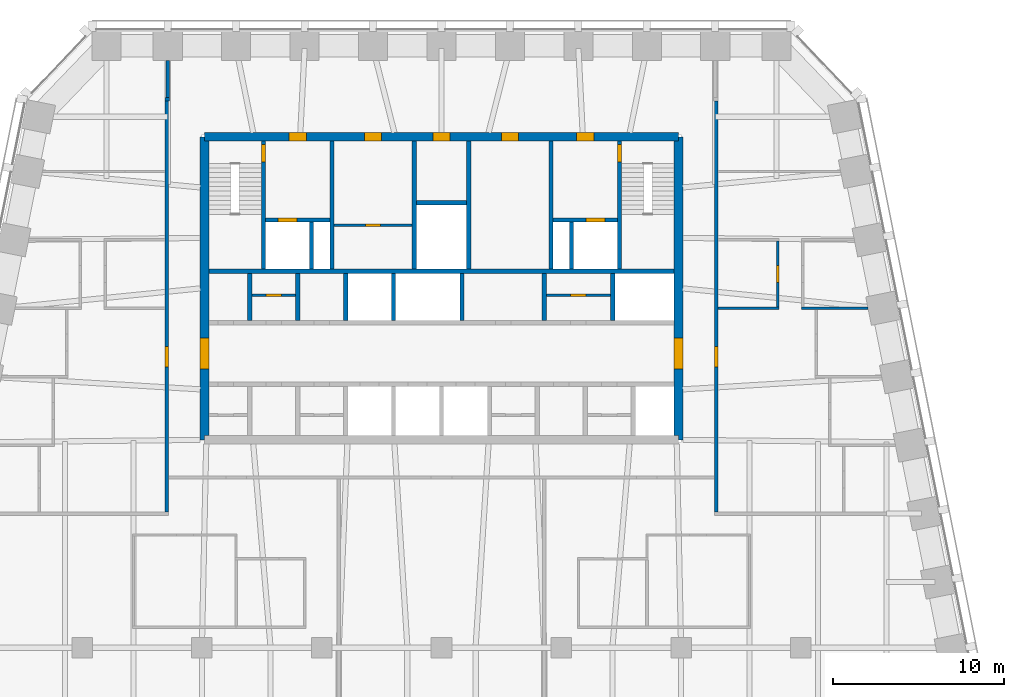
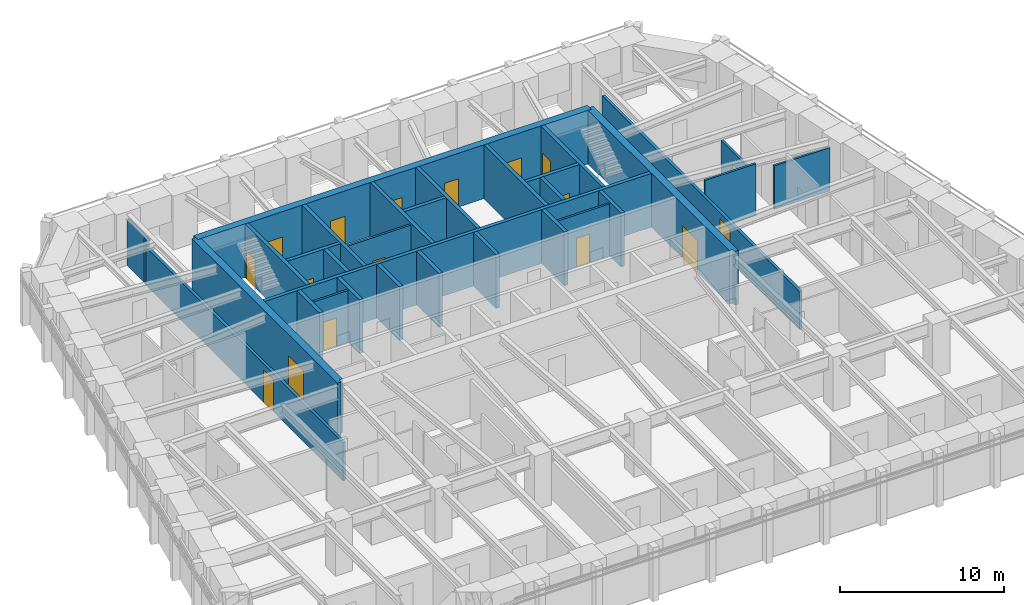
# One storey, part 8 of 11: 32 walls, 17 doors, 17 openings.
"""IFC4 building model written with IfcOpenShell, lengths in metres."""

from ifc_helpers import new_model, si_unit, direction, frame, frame_2d, origin, place, context, subcontext, project, spatial, polyline, rectangle, outline, extrude, material, layer, layer_set, type_object, element, fill, save


model = new_model("IFC4")

# Units and contexts
model_context = context("Model", 3, precision=1e-05, world=origin(), true_north=direction((0.0, 1.0)))
body_context = subcontext(model_context, "Body", "Model", "MODEL_VIEW")
ifc_project = project(units=[si_unit("LENGTHUNIT", "METRE"), si_unit("AREAUNIT", "SQUARE_METRE"), si_unit("VOLUMEUNIT", "CUBIC_METRE"), si_unit("PLANEANGLEUNIT", "RADIAN"), si_unit("MASSUNIT", "GRAM", prefix="KILO")], contexts=[model_context])

# Site, building, storey
site_placement = place(None, origin())
site = spatial("IfcSite", under=ifc_project, at=site_placement, CompositionType="ELEMENT")
building_placement = place(site_placement, origin())
building = spatial("IfcBuilding", under=site, at=building_placement, Name="Isbrekke Arena Tower", CompositionType="ELEMENT")
storey_placement = place(building_placement, frame((0.0, 0.0, 252.0)))
storey = spatial("IfcBuildingStorey", under=building, at=storey_placement, Name="L58", CompositionType="ELEMENT", Elevation=252.0)

# Wall, opening, door
ifc_material_1 = material(Name="Concrete B55 (C55/67)", Category="concrete")
ifc_layer_1 = layer(ifc_material_1, 0.5)
ifc_layer_set_1 = layer_set([ifc_layer_1], Name="CW5 CORE WALL 500")
wall_type_1 = type_object("IfcWallType", Name="CW5 CORE WALL 500", PredefinedType="SHEAR", material=ifc_layer_set_1)
wall_1_placement = place(storey_placement, frame((13.85009765625, 6.14990234375, 0.0), z_axis=(0.0, 0.0, 1.0), x_axis=(0.0, 1.0, 0.0)))
wall_1 = element("IfcWall", 1, at=wall_1_placement, inside=storey, type_object=wall_type_1, Name="Core wall E L58", PredefinedType="SHEAR", context=body_context, shape_type="SweptSolid", body=[
    extrude(outline(polyline([(0.0, -0.25), (17.7001953125, -0.25), (17.7001953125, 0.0), (17.4501953125, 0.0), (17.4501953125, 0.25), (0.25, 0.25), (0.25, 0.0), (0.0, 0.0), (0.0, -0.25)])), origin(), (0.0, 0.0, 1.0), 4.0),
])
opening_1_placement = place(wall_1_placement, frame((4.14990234375, 0.0, 0.0)))
opening_1 = element("IfcOpeningElement", 2, at=opening_1_placement, cuts=wall_1, Name="Opening D1", PredefinedType="OPENING", context=body_context, shape_type="SweptSolid", body=[
    extrude(rectangle(XDim=1.800048828125, YDim=2.39990234375, at=frame_2d((0.89990234375, 1.199951171875))), frame((0.0, 0.264892578125, 0.0), z_axis=(0.0, -1.0, 0.0), x_axis=(1.0, 0.0, 0.0)), (0.0, 0.0, 1.0), 0.52978515625),
])
ifc_material_2 = material(Name="Steel-framed glazed fire door", Category="steel")
door_type_1 = type_object("IfcDoorType", Name="D1 CORE LOBBY DOOR 1800 x 2400", OperationType="DOUBLE_DOOR_SINGLE_SWING", PredefinedType="DOOR", material=ifc_material_2)
door_1_placement = place(opening_1_placement, origin())
door_1 = element("IfcDoor", 3, at=door_1_placement, inside=storey, type_object=door_type_1, Name="D1 lift lobby door east L58", OperationType="DOUBLE_DOOR_SINGLE_SWING", OverallHeight=2.39990234375, OverallWidth=1.800048828125, PredefinedType="DOOR", context=body_context, shape_type="SweptSolid", body=[
    extrude(rectangle(XDim=1.800048828125, YDim=2.39990234375, at=frame_2d((0.89990234375, 1.199951171875))), frame((0.0, 0.249755859375, 0.0), z_axis=(0.0, -1.0, 0.0), x_axis=(1.0, 0.0, 0.0)), (0.0, 0.0, 1.0), 0.49951171875),
])
fill(opening_1, door_1)

# Wall, openings, doors
wall_2_placement = place(storey_placement, frame((13.85009765625, 23.85009765625, 0.0), z_axis=(0.0, 0.0, 1.0), x_axis=(-1.0, 0.0, 0.0)))
wall_2 = element("IfcWall", 4, at=wall_2_placement, inside=storey, type_object=wall_type_1, Name="Core wall N L58", PredefinedType="SHEAR", context=body_context, shape_type="SweptSolid", body=[
    extrude(rectangle(XDim=27.7001953125, YDim=0.5, at=frame_2d((13.85009765625, 0.0))), origin(), (0.0, 0.0, 1.0), 4.0),
])
opening_2_placement = place(wall_2_placement, frame((21.75, 0.0, 0.0)))
opening_2 = element("IfcOpeningElement", 5, at=opening_2_placement, cuts=wall_2, Name="Opening D3", PredefinedType="OPENING", context=body_context, shape_type="SweptSolid", body=[
    extrude(rectangle(XDim=1.0, YDim=2.10009765625, at=frame_2d((0.5, 1.050048828125))), frame((0.0, 0.264892578125, 0.0), z_axis=(0.0, -1.0, 0.0), x_axis=(1.0, 0.0, 0.0)), (0.0, 0.0, 1.0), 0.52978515625),
])
opening_3_placement = place(wall_2_placement, frame((4.949951171875, 0.0, 0.0)))
opening_3 = element("IfcOpeningElement", 6, at=opening_3_placement, cuts=wall_2, Name="Opening D3", PredefinedType="OPENING", context=body_context, shape_type="SweptSolid", body=[
    extrude(rectangle(XDim=1.0, YDim=2.10009765625, at=frame_2d((0.5, 1.050048828125))), frame((0.0, 0.264892578125, 0.0), z_axis=(0.0, -1.0, 0.0), x_axis=(1.0, 0.0, 0.0)), (0.0, 0.0, 1.0), 0.52978515625),
])
opening_4_placement = place(wall_2_placement, frame((17.35009765625, 0.0, 0.0)))
opening_4 = element("IfcOpeningElement", 7, at=opening_4_placement, cuts=wall_2, Name="Opening D4", PredefinedType="OPENING", context=body_context, shape_type="SweptSolid", body=[
    extrude(rectangle(XDim=1.0, YDim=2.10009765625, at=frame_2d((0.5, 1.050048828125))), frame((0.0, 0.264892578125, 0.0), z_axis=(0.0, -1.0, 0.0), x_axis=(1.0, 0.0, 0.0)), (0.0, 0.0, 1.0), 0.52978515625),
])
opening_5_placement = place(wall_2_placement, frame((13.35009765625, 0.0, 0.0)))
opening_5 = element("IfcOpeningElement", 8, at=opening_5_placement, cuts=wall_2, Name="Opening D4", PredefinedType="OPENING", context=body_context, shape_type="SweptSolid", body=[
    extrude(rectangle(XDim=1.0, YDim=2.10009765625, at=frame_2d((0.5, 1.050048828125))), frame((0.0, 0.264892578125, 0.0), z_axis=(0.0, -1.0, 0.0), x_axis=(1.0, 0.0, 0.0)), (0.0, 0.0, 1.0), 0.52978515625),
])
opening_6_placement = place(wall_2_placement, frame((9.35009765625, 0.0, 0.0)))
opening_6 = element("IfcOpeningElement", 9, at=opening_6_placement, cuts=wall_2, Name="Opening D4", PredefinedType="OPENING", context=body_context, shape_type="SweptSolid", body=[
    extrude(rectangle(XDim=1.0, YDim=2.10009765625, at=frame_2d((0.5, 1.050048828125))), frame((0.0, 0.264892578125, 0.0), z_axis=(0.0, -1.0, 0.0), x_axis=(1.0, 0.0, 0.0)), (0.0, 0.0, 1.0), 0.52978515625),
])
ifc_material_3 = material(Name="Steel fire door", Category="steel")
door_type_2 = type_object("IfcDoorType", Name="D3 FIRE LOBBY DOOR 1000 x 2100", OperationType="SINGLE_SWING_RIGHT", PredefinedType="DOOR", material=ifc_material_3)
door_2_placement = place(opening_2_placement, origin())
door_2 = element("IfcDoor", 10, at=door_2_placement, inside=storey, type_object=door_type_2, Name="D3 fire-fighting lobby door L58", OperationType="SINGLE_SWING_RIGHT", OverallHeight=2.10009765625, OverallWidth=1.0, PredefinedType="DOOR", context=body_context, shape_type="SweptSolid", body=[
    extrude(rectangle(XDim=1.0, YDim=2.10009765625, at=frame_2d((0.5, 1.050048828125))), frame((0.0, 0.249755859375, 0.0), z_axis=(0.0, -1.0, 0.0), x_axis=(1.0, 0.0, 0.0)), (0.0, 0.0, 1.0), 0.49951171875),
])
fill(opening_2, door_2)
door_3_placement = place(opening_3_placement, origin())
door_3 = element("IfcDoor", 11, at=door_3_placement, inside=storey, type_object=door_type_2, Name="D3 fire-fighting lobby door L58", OperationType="SINGLE_SWING_RIGHT", OverallHeight=2.10009765625, OverallWidth=1.0, PredefinedType="DOOR", context=body_context, shape_type="SweptSolid", body=[
    extrude(rectangle(XDim=1.0, YDim=2.10009765625, at=frame_2d((0.5, 1.050048828125))), frame((0.0, 0.249755859375, 0.0), z_axis=(0.0, -1.0, 0.0), x_axis=(1.0, 0.0, 0.0)), (0.0, 0.0, 1.0), 0.49951171875),
])
fill(opening_3, door_3)
ifc_material_4 = material(Name="Timber door", Category="wood")
door_type_3 = type_object("IfcDoorType", Name="D4 WC DOOR 1000 x 2100", OperationType="SINGLE_SWING_LEFT", PredefinedType="DOOR", material=ifc_material_4)
door_4_placement = place(opening_4_placement, origin())
door_4 = element("IfcDoor", 12, at=door_4_placement, inside=storey, type_object=door_type_3, Name="D4 wc female door L58", OperationType="SINGLE_SWING_LEFT", OverallHeight=2.10009765625, OverallWidth=1.0, PredefinedType="DOOR", context=body_context, shape_type="SweptSolid", body=[
    extrude(rectangle(XDim=1.0, YDim=2.10009765625, at=frame_2d((0.5, 1.050048828125))), frame((0.0, 0.249755859375, 0.0), z_axis=(0.0, -1.0, 0.0), x_axis=(1.0, 0.0, 0.0)), (0.0, 0.0, 1.0), 0.49951171875),
])
fill(opening_4, door_4)
door_5_placement = place(opening_5_placement, origin())
door_5 = element("IfcDoor", 13, at=door_5_placement, inside=storey, type_object=door_type_3, Name="D4 accessible wc door L58", OperationType="SINGLE_SWING_LEFT", OverallHeight=2.10009765625, OverallWidth=1.0, PredefinedType="DOOR", context=body_context, shape_type="SweptSolid", body=[
    extrude(rectangle(XDim=1.0, YDim=2.10009765625, at=frame_2d((0.5, 1.050048828125))), frame((0.0, 0.249755859375, 0.0), z_axis=(0.0, -1.0, 0.0), x_axis=(1.0, 0.0, 0.0)), (0.0, 0.0, 1.0), 0.49951171875),
])
fill(opening_5, door_5)
door_6_placement = place(opening_6_placement, origin())
door_6 = element("IfcDoor", 14, at=door_6_placement, inside=storey, type_object=door_type_3, Name="D4 wc male door L58", OperationType="SINGLE_SWING_LEFT", OverallHeight=2.10009765625, OverallWidth=1.0, PredefinedType="DOOR", context=body_context, shape_type="SweptSolid", body=[
    extrude(rectangle(XDim=1.0, YDim=2.10009765625, at=frame_2d((0.5, 1.050048828125))), frame((0.0, 0.249755859375, 0.0), z_axis=(0.0, -1.0, 0.0), x_axis=(1.0, 0.0, 0.0)), (0.0, 0.0, 1.0), 0.49951171875),
])
fill(opening_6, door_6)

# Wall, opening, door
wall_3_placement = place(storey_placement, frame((-13.85009765625, 23.85009765625, 0.0), z_axis=(0.0, 0.0, 1.0), x_axis=(0.0, -1.0, 0.0)))
wall_3 = element("IfcWall", 15, at=wall_3_placement, inside=storey, type_object=wall_type_1, Name="Core wall W L58", PredefinedType="SHEAR", context=body_context, shape_type="SweptSolid", body=[
    extrude(outline(polyline([(0.0, -0.25), (17.7001953125, -0.25), (17.7001953125, 0.0), (17.4501953125, 0.0), (17.4501953125, 0.25), (0.25, 0.25), (0.25, 0.0), (0.0, 0.0), (0.0, -0.25)])), origin(), (0.0, 0.0, 1.0), 4.0),
])
opening_7_placement = place(wall_3_placement, frame((11.75, 0.0, 0.0)))
opening_7 = element("IfcOpeningElement", 16, at=opening_7_placement, cuts=wall_3, Name="Opening D1", PredefinedType="OPENING", context=body_context, shape_type="SweptSolid", body=[
    extrude(rectangle(XDim=1.800048828125, YDim=2.39990234375, at=frame_2d((0.89990234375, 1.199951171875))), frame((0.0, 0.264892578125, 0.0), z_axis=(0.0, -1.0, 0.0), x_axis=(1.0, 0.0, 0.0)), (0.0, 0.0, 1.0), 0.52978515625),
])
door_7_placement = place(opening_7_placement, origin())
door_7 = element("IfcDoor", 17, at=door_7_placement, inside=storey, type_object=door_type_1, Name="D1 lift lobby door west L58", OperationType="DOUBLE_DOOR_SINGLE_SWING", OverallHeight=2.39990234375, OverallWidth=1.800048828125, PredefinedType="DOOR", context=body_context, shape_type="SweptSolid", body=[
    extrude(rectangle(XDim=1.800048828125, YDim=2.39990234375, at=frame_2d((0.89990234375, 1.199951171875))), frame((0.0, 0.249755859375, 0.0), z_axis=(0.0, -1.0, 0.0), x_axis=(1.0, 0.0, 0.0)), (0.0, 0.0, 1.0), 0.49951171875),
])
fill(opening_7, door_7)

# Walls
ifc_material_5 = material(Name="Concrete B45 (C45/55)", Category="concrete")
ifc_layer_2 = layer(ifc_material_5, 0.25)
ifc_layer_set_2 = layer_set([ifc_layer_2], Name="CW6 SHAFT WALL 250")
wall_type_2 = type_object("IfcWallType", Name="CW6 SHAFT WALL 250", PredefinedType="SHEAR", material=ifc_layer_set_2)
wall_4_placement = place(storey_placement, frame((-13.60009765625, 16.0, 0.0), z_axis=(0.0, 0.0, 1.0), x_axis=(1.0, 0.0, 0.0)))
element("IfcWall", 18, at=wall_4_placement, inside=storey, type_object=wall_type_2, Name="Core wall NB L58", PredefinedType="SHEAR", context=body_context, shape_type="SweptSolid", body=[
    extrude(rectangle(XDim=27.2001953125, YDim=0.25, at=frame_2d((13.60009765625, 0.0))), origin(), (0.0, 0.0, 1.0), 4.0),
])
for number, where, z_axis, x_axis, name in (
    (19, (-11.199951171875, 13.125, 0.0), (0.0, 0.0, 1.0), (0.0, 1.0, 0.0), "Core wall SN01 L58"),
    (20, (-8.39990234375, 13.125, 0.0), (0.0, 0.0, 1.0), (0.0, 1.0, 0.0), "Core wall SN02 L58"),
    (21, (-5.60009765625, 13.125, 0.0), (0.0, 0.0, 1.0), (0.0, 1.0, 0.0), "Core wall SN03 L58"),
    (22, (-2.800048828125, 13.125, 0.0), (0.0, 0.0, 1.0), (0.0, 1.0, 0.0), "Core wall SN04 L58"),
    (23, (1.199951171875, 13.125, 0.0), (0.0, 0.0, 1.0), (0.0, 1.0, 0.0), "Core wall SN05 L58"),
    (24, (6.0, 13.125, 0.0), (0.0, 0.0, 1.0), (0.0, 1.0, 0.0), "Core wall SN06 L58"),
    (25, (10.0, 13.125, 0.0), (0.0, 0.0, 1.0), (0.0, 1.0, 0.0), "Core wall SN07 L58"),
):
    element("IfcWall", number, at=place(storey_placement, frame(where, z_axis=z_axis, x_axis=x_axis)), inside=storey, type_object=wall_type_2, Name=name, PredefinedType="SHEAR", context=body_context, shape_type="SweptSolid", body=[
        extrude(rectangle(XDim=2.75, YDim=0.25, at=frame_2d((1.375, 0.0))), origin(), (0.0, 0.0, 1.0), 4.0),
    ])

# Wall, opening, door
wall_5_placement = place(storey_placement, frame((-10.39990234375, 16.125, 0.0), z_axis=(0.0, 0.0, 1.0), x_axis=(0.0, 1.0, 0.0)))
wall_5 = element("IfcWall", 26, at=wall_5_placement, inside=storey, type_object=wall_type_2, Name="Core wall NV01 L58", PredefinedType="SHEAR", context=body_context, shape_type="SweptSolid", body=[
    extrude(rectangle(XDim=7.47509765625, YDim=0.25, at=frame_2d((3.737548828125, 0.0))), origin(), (0.0, 0.0, 1.0), 4.0),
])
opening_8_placement = place(wall_5_placement, frame((6.27490234375, 0.0, 0.0)))
opening_8 = element("IfcOpeningElement", 27, at=opening_8_placement, cuts=wall_5, Name="Opening D2", PredefinedType="OPENING", context=body_context, shape_type="SweptSolid", body=[
    extrude(rectangle(XDim=1.0, YDim=2.10009765625, at=frame_2d((0.5, 1.050048828125))), frame((0.0, 0.139892578125, 0.0), z_axis=(0.0, -1.0, 0.0), x_axis=(1.0, 0.0, 0.0)), (0.0, 0.0, 1.0), 0.27978515625),
])
ifc_material_6 = material(Name="Steel fire door", Category="steel")
door_type_4 = type_object("IfcDoorType", Name="D2 STAIR DOOR 1000 x 2100", OperationType="SINGLE_SWING_LEFT", PredefinedType="DOOR", material=ifc_material_6)
door_8_placement = place(opening_8_placement, origin())
door_8 = element("IfcDoor", 28, at=door_8_placement, inside=storey, type_object=door_type_4, Name="D2 stair door ST1 L58", OperationType="SINGLE_SWING_LEFT", OverallHeight=2.10009765625, OverallWidth=1.0, PredefinedType="DOOR", context=body_context, shape_type="SweptSolid", body=[
    extrude(rectangle(XDim=1.0, YDim=2.10009765625, at=frame_2d((0.5, 1.050048828125))), frame((0.0, 0.124755859375, 0.0), z_axis=(0.0, -1.0, 0.0), x_axis=(1.0, 0.0, 0.0)), (0.0, 0.0, 1.0), 0.24951171875),
])
fill(opening_8, door_8)

# Walls
for number, where, z_axis, x_axis, name in (
    (29, (-6.39990234375, 16.125, 0.0), (0.0, 0.0, 1.0), (0.0, 1.0, 0.0), "Core wall NV02 L58"),
    (30, (-1.60009765625, 16.125, 0.0), (0.0, 0.0, 1.0), (0.0, 1.0, 0.0), "Core wall NV03 L58"),
    (31, (1.60009765625, 16.125, 0.0), (0.0, 0.0, 1.0), (0.0, 1.0, 0.0), "Core wall NV04 L58"),
    (32, (6.39990234375, 16.125, 0.0), (0.0, 0.0, 1.0), (0.0, 1.0, 0.0), "Core wall NV05 L58"),
):
    element("IfcWall", number, at=place(storey_placement, frame(where, z_axis=z_axis, x_axis=x_axis)), inside=storey, type_object=wall_type_2, Name=name, PredefinedType="SHEAR", context=body_context, shape_type="SweptSolid", body=[
        extrude(rectangle(XDim=7.47509765625, YDim=0.25, at=frame_2d((3.737548828125, 0.0))), origin(), (0.0, 0.0, 1.0), 4.0),
    ])

# Wall, opening, door
wall_6_placement = place(storey_placement, frame((10.39990234375, 16.125, 0.0), z_axis=(0.0, 0.0, 1.0), x_axis=(0.0, 1.0, 0.0)))
wall_6 = element("IfcWall", 33, at=wall_6_placement, inside=storey, type_object=wall_type_2, Name="Core wall NV06 L58", PredefinedType="SHEAR", context=body_context, shape_type="SweptSolid", body=[
    extrude(rectangle(XDim=7.47509765625, YDim=0.25, at=frame_2d((3.737548828125, 0.0))), origin(), (0.0, 0.0, 1.0), 4.0),
])
opening_9_placement = place(wall_6_placement, frame((6.27490234375, 0.0, 0.0)))
opening_9 = element("IfcOpeningElement", 34, at=opening_9_placement, cuts=wall_6, Name="Opening D2", PredefinedType="OPENING", context=body_context, shape_type="SweptSolid", body=[
    extrude(rectangle(XDim=1.0, YDim=2.10009765625, at=frame_2d((0.5, 1.050048828125))), frame((0.0, 0.139892578125, 0.0), z_axis=(0.0, -1.0, 0.0), x_axis=(1.0, 0.0, 0.0)), (0.0, 0.0, 1.0), 0.27978515625),
])
door_9_placement = place(opening_9_placement, origin())
door_9 = element("IfcDoor", 35, at=door_9_placement, inside=storey, type_object=door_type_4, Name="D2 stair door ST2 L58", OperationType="SINGLE_SWING_LEFT", OverallHeight=2.10009765625, OverallWidth=1.0, PredefinedType="DOOR", context=body_context, shape_type="SweptSolid", body=[
    extrude(rectangle(XDim=1.0, YDim=2.10009765625, at=frame_2d((0.5, 1.050048828125))), frame((0.0, 0.124755859375, 0.0), z_axis=(0.0, -1.0, 0.0), x_axis=(1.0, 0.0, 0.0)), (0.0, 0.0, 1.0), 0.24951171875),
])
fill(opening_9, door_9)

wall_7_placement = place(storey_placement, frame((-10.27490234375, 19.0, 0.0), z_axis=(0.0, 0.0, 1.0), x_axis=(1.0, 0.0, 0.0)))
wall_7 = element("IfcWall", 36, at=wall_7_placement, inside=storey, type_object=wall_type_2, Name="Core wall NFW L58", PredefinedType="SHEAR", context=body_context, shape_type="SweptSolid", body=[
    extrude(rectangle(XDim=3.75, YDim=0.25, at=frame_2d((1.875, 0.0))), origin(), (0.0, 0.0, 1.0), 4.0),
])
opening_10_placement = place(wall_7_placement, frame((0.72509765625, 0.0, 0.0)))
opening_10 = element("IfcOpeningElement", 37, at=opening_10_placement, cuts=wall_7, Name="Opening LD2", PredefinedType="OPENING", context=body_context, shape_type="SweptSolid", body=[
    extrude(rectangle(XDim=1.10009765625, YDim=2.10009765625, at=frame_2d((0.550048828125, 1.050048828125))), frame((0.0, 0.139892578125, 0.0), z_axis=(0.0, -1.0, 0.0), x_axis=(1.0, 0.0, 0.0)), (0.0, 0.0, 1.0), 0.27978515625),
])
ifc_material_7 = material(Name="Stainless steel lift landing door", Category="steel")
door_type_5 = type_object("IfcDoorType", Name="LD2 FIRE-FIGHTING LIFT LANDING DOOR 1100 x 2100", OperationType="SLIDING_TO_RIGHT", PredefinedType="DOOR", material=ifc_material_7)
door_10_placement = place(opening_10_placement, origin())
door_10 = element("IfcDoor", 38, at=door_10_placement, inside=storey, type_object=door_type_5, Name="LD2 lift landing door LF L58", OperationType="SLIDING_TO_RIGHT", OverallHeight=2.10009765625, OverallWidth=1.10009765625, PredefinedType="DOOR", context=body_context, shape_type="SweptSolid", body=[
    extrude(rectangle(XDim=1.10009765625, YDim=2.10009765625, at=frame_2d((0.550048828125, 1.050048828125))), frame((0.0, 0.124755859375, 0.0), z_axis=(0.0, -1.0, 0.0), x_axis=(1.0, 0.0, 0.0)), (0.0, 0.0, 1.0), 0.24951171875),
])
fill(opening_10, door_10)

wall_8_placement = place(storey_placement, frame((6.52490234375, 19.0, 0.0), z_axis=(0.0, 0.0, 1.0), x_axis=(1.0, 0.0, 0.0)))
wall_8 = element("IfcWall", 39, at=wall_8_placement, inside=storey, type_object=wall_type_2, Name="Core wall NFE L58", PredefinedType="SHEAR", context=body_context, shape_type="SweptSolid", body=[
    extrude(rectangle(XDim=3.75, YDim=0.25, at=frame_2d((1.875, 0.0))), origin(), (0.0, 0.0, 1.0), 4.0),
])
opening_11_placement = place(wall_8_placement, frame((1.925048828125, 0.0, 0.0)))
opening_11 = element("IfcOpeningElement", 40, at=opening_11_placement, cuts=wall_8, Name="Opening LD2", PredefinedType="OPENING", context=body_context, shape_type="SweptSolid", body=[
    extrude(rectangle(XDim=1.10009765625, YDim=2.10009765625, at=frame_2d((0.550048828125, 1.050048828125))), frame((0.0, 0.139892578125, 0.0), z_axis=(0.0, -1.0, 0.0), x_axis=(1.0, 0.0, 0.0)), (0.0, 0.0, 1.0), 0.27978515625),
])
door_11_placement = place(opening_11_placement, origin())
door_11 = element("IfcDoor", 41, at=door_11_placement, inside=storey, type_object=door_type_5, Name="LD2 lift landing door LF L58", OperationType="SLIDING_TO_RIGHT", OverallHeight=2.10009765625, OverallWidth=1.10009765625, PredefinedType="DOOR", context=body_context, shape_type="SweptSolid", body=[
    extrude(rectangle(XDim=1.10009765625, YDim=2.10009765625, at=frame_2d((0.550048828125, 1.050048828125))), frame((0.0, 0.124755859375, 0.0), z_axis=(0.0, -1.0, 0.0), x_axis=(1.0, 0.0, 0.0)), (0.0, 0.0, 1.0), 0.24951171875),
])
fill(opening_11, door_11)

# Walls
for number, where, z_axis, x_axis, name in (
    (42, (-7.60009765625, 16.125, 0.0), (0.0, 0.0, 1.0), (0.0, 1.0, 0.0), "Core wall NFS1 L58"),
    (43, (7.60009765625, 16.125, 0.0), (0.0, 0.0, 1.0), (0.0, 1.0, 0.0), "Core wall NFS2 L58"),
):
    element("IfcWall", number, at=place(storey_placement, frame(where, z_axis=z_axis, x_axis=x_axis)), inside=storey, type_object=wall_type_2, Name=name, PredefinedType="SHEAR", context=body_context, shape_type="SweptSolid", body=[
        extrude(rectangle(XDim=2.75, YDim=0.25, at=frame_2d((1.375, 0.0))), origin(), (0.0, 0.0, 1.0), 4.0),
    ])
wall_9_placement = place(storey_placement, frame((-1.47509765625, 20.0, 0.0), z_axis=(0.0, 0.0, 1.0), x_axis=(1.0, 0.0, 0.0)))
element("IfcWall", 44, at=wall_9_placement, inside=storey, type_object=wall_type_2, Name="Core wall NWC L58", PredefinedType="SHEAR", context=body_context, shape_type="SweptSolid", body=[
    extrude(rectangle(XDim=2.9501953125, YDim=0.25, at=frame_2d((1.47509765625, 0.0))), origin(), (0.0, 0.0, 1.0), 4.0),
])
ifc_material_8 = material(Name="Gypsum board partition on steel studs", Category="steel")
ifc_layer_3 = layer(ifc_material_8, 0.14990234375)
ifc_layer_set_3 = layer_set([ifc_layer_3], Name="IW1 PARTITION 150")
wall_type_3 = type_object("IfcWallType", Name="IW1 PARTITION 150", PredefinedType="PARTITIONING", material=ifc_layer_set_3)
wall_10_placement = place(storey_placement, frame((16.14990234375, 13.840087890625, 0.0), z_axis=(0.0, 0.0, 1.0), x_axis=(1.0, 0.0, 0.0)))
element("IfcWall", 45, at=wall_10_placement, inside=storey, type_object=wall_type_3, Name="IW1 partition 150 L58", PredefinedType="PARTITIONING", context=body_context, shape_type="SweptSolid", body=[
    extrude(rectangle(XDim=3.5751953125, YDim=0.14990234375, at=frame_2d((1.78759765625, 0.0))), origin(), (0.0, 0.0, 1.0), 3.85009765625),
])
wall_11_placement = place(storey_placement, frame((21.02490234375, 13.840087890625, 0.0), z_axis=(0.0, 0.0, 1.0), x_axis=(1.0, 0.0, 0.0)))
element("IfcWall", 46, at=wall_11_placement, inside=storey, type_object=wall_type_3, Name="IW1 partition 150 L58", PredefinedType="PARTITIONING", context=body_context, shape_type="SweptSolid", body=[
    extrude(rectangle(XDim=3.89892578125, YDim=0.14990234375, at=frame_2d((1.949462890625, 0.0))), origin(), (0.0, 0.0, 1.0), 3.22998046875),
])

# Wall, opening, door
wall_12_placement = place(storey_placement, frame((19.64990234375, 13.9150390625, 0.0), z_axis=(0.0, 0.0, 1.0), x_axis=(0.0, 1.0, 0.0)))
wall_12 = element("IfcWall", 47, at=wall_12_placement, inside=storey, type_object=wall_type_3, Name="IW1 partition 150 L58", PredefinedType="PARTITIONING", context=body_context, shape_type="SweptSolid", body=[
    extrude(rectangle(XDim=3.849853515625, YDim=0.14990234375, at=frame_2d((1.9248046875, 0.0))), origin(), (0.0, 0.0, 1.0), 3.22998046875),
])
opening_12_placement = place(wall_12_placement, frame((1.425048828125, 0.0, 0.0)))
opening_12 = element("IfcOpeningElement", 48, at=opening_12_placement, cuts=wall_12, Name="Opening D10", PredefinedType="OPENING", context=body_context, shape_type="SweptSolid", body=[
    extrude(rectangle(XDim=1.0, YDim=2.300048828125, at=frame_2d((0.5, 1.14990234375))), frame((0.0, 0.08984375, 0.0), z_axis=(0.0, -1.0, 0.0), x_axis=(1.0, 0.0, 0.0)), (0.0, 0.0, 1.0), 0.1796875),
])
ifc_material_9 = material(Name="Timber door", Category="wood")
door_type_6 = type_object("IfcDoorType", Name="D10 OFFICE DOOR 1000 x 2300", OperationType="SINGLE_SWING_LEFT", PredefinedType="DOOR", material=ifc_material_9)
door_12_placement = place(opening_12_placement, origin())
door_12 = element("IfcDoor", 49, at=door_12_placement, inside=storey, type_object=door_type_6, Name="D10 pantry door L58", OperationType="SINGLE_SWING_LEFT", OverallHeight=2.300048828125, OverallWidth=1.0, PredefinedType="DOOR", context=body_context, shape_type="SweptSolid", body=[
    extrude(rectangle(XDim=1.0, YDim=2.300048828125, at=frame_2d((0.5, 1.14990234375))), frame((0.0, 0.07470703125, 0.0), z_axis=(0.0, -1.0, 0.0), x_axis=(1.0, 0.0, 0.0)), (0.0, 0.0, 1.0), 0.1494140625),
])
fill(opening_12, door_12)

# Wall
ifc_material_10 = material(Name="Gypsum board fire-cell wall on steel studs, two layers each side", Category="steel")
ifc_layer_4 = layer(ifc_material_10, 0.199951171875)
ifc_layer_set_4 = layer_set([ifc_layer_4], Name="IW3 FIRE-CELL WALL 200")
wall_type_4 = type_object("IfcWallType", Name="IW3 FIRE-CELL WALL 200", PredefinedType="PARTITIONING", material=ifc_layer_set_4)
wall_13_placement = place(storey_placement, frame((-16.14990234375, 26.050048828125, 0.0), z_axis=(0.0, 0.0, 1.0), x_axis=(1.0, 0.0, 0.0)))
element("IfcWall", 50, at=wall_13_placement, inside=storey, type_object=wall_type_4, Name="IW3 fire-cell wall 200 L58", PredefinedType="PARTITIONING", context=body_context, shape_type="SweptSolid", body=[
    extrude(rectangle(XDim=0.25, YDim=0.199951171875, at=frame_2d((0.125, 0.0))), origin(), (0.0, 0.0, 1.0), 3.41796875),
])

# Wall, opening, door
wall_14_placement = place(storey_placement, frame((-16.050048828125, 1.93994140625, 0.0), z_axis=(0.0, 0.0, 1.0), x_axis=(0.0, 1.0, 0.0)))
wall_14 = element("IfcWall", 51, at=wall_14_placement, inside=storey, type_object=wall_type_4, Name="IW3 fire-cell wall 200 L58", PredefinedType="PARTITIONING", context=body_context, shape_type="SweptSolid", body=[
    extrude(rectangle(XDim=24.010009765625, YDim=0.199951171875, at=frame_2d((12.0048828125, 0.0))), origin(), (0.0, 0.0, 1.0), 2.842041015625),
])
opening_13_placement = place(wall_14_placement, frame((8.4599609375, 0.0, 0.0)))
opening_13 = element("IfcOpeningElement", 52, at=opening_13_placement, cuts=wall_14, Name="Opening D12", PredefinedType="OPENING", context=body_context, shape_type="SweptSolid", body=[
    extrude(rectangle(XDim=1.199951171875, YDim=2.39990234375, at=frame_2d((0.60009765625, 1.199951171875))), frame((0.0, 0.11474609375, 0.0), z_axis=(0.0, -1.0, 0.0), x_axis=(1.0, 0.0, 0.0)), (0.0, 0.0, 1.0), 0.229736328125),
])
ifc_material_11 = material(Name="Timber fire door with vision panel", Category="wood")
door_type_7 = type_object("IfcDoorType", Name="D12 SUITE ENTRANCE DOOR 1200 x 2400", OperationType="SINGLE_SWING_LEFT", PredefinedType="DOOR", material=ifc_material_11)
door_13_placement = place(opening_13_placement, origin())
door_13 = element("IfcDoor", 53, at=door_13_placement, inside=storey, type_object=door_type_7, Name="D12 suite entrance W door L58", OperationType="SINGLE_SWING_LEFT", OverallHeight=2.39990234375, OverallWidth=1.199951171875, PredefinedType="DOOR", context=body_context, shape_type="SweptSolid", body=[
    extrude(rectangle(XDim=1.199951171875, YDim=2.39990234375, at=frame_2d((0.60009765625, 1.199951171875))), frame((0.0, 0.099609375, 0.0), z_axis=(0.0, -1.0, 0.0), x_axis=(1.0, 0.0, 0.0)), (0.0, 0.0, 1.0), 0.199462890625),
])
fill(opening_13, door_13)

# Wall
wall_15_placement = place(storey_placement, frame((-16.0, 26.14990234375, 0.0), z_axis=(0.0, 0.0, 1.0), x_axis=(0.0, 1.0, 0.0)))
element("IfcWall", 54, at=wall_15_placement, inside=storey, type_object=wall_type_4, Name="IW3 fire-cell wall 200 L58", PredefinedType="PARTITIONING", context=body_context, shape_type="SweptSolid", body=[
    extrude(rectangle(XDim=2.175048828125, YDim=0.199951171875, at=frame_2d((1.08740234375, 0.0))), origin(), (0.0, 0.0, 1.0), 3.41796875),
])

# Wall, opening, door
wall_16_placement = place(storey_placement, frame((16.050048828125, 1.93994140625, 0.0), z_axis=(0.0, 0.0, 1.0), x_axis=(0.0, 1.0, 0.0)))
wall_16 = element("IfcWall", 55, at=wall_16_placement, inside=storey, type_object=wall_type_4, Name="IW3 fire-cell wall 200 L58", PredefinedType="PARTITIONING", context=body_context, shape_type="SweptSolid", body=[
    extrude(rectangle(XDim=24.010009765625, YDim=0.199951171875, at=frame_2d((12.0048828125, 0.0))), origin(), (0.0, 0.0, 1.0), 2.842041015625),
])
opening_14_placement = place(wall_16_placement, frame((8.4599609375, 0.0, 0.0)))
opening_14 = element("IfcOpeningElement", 56, at=opening_14_placement, cuts=wall_16, Name="Opening D12", PredefinedType="OPENING", context=body_context, shape_type="SweptSolid", body=[
    extrude(rectangle(XDim=1.199951171875, YDim=2.39990234375, at=frame_2d((0.60009765625, 1.199951171875))), frame((0.0, 0.11474609375, 0.0), z_axis=(0.0, -1.0, 0.0), x_axis=(1.0, 0.0, 0.0)), (0.0, 0.0, 1.0), 0.229736328125),
])
door_14_placement = place(opening_14_placement, origin())
door_14 = element("IfcDoor", 57, at=door_14_placement, inside=storey, type_object=door_type_7, Name="D12 suite entrance E door L58", OperationType="SINGLE_SWING_LEFT", OverallHeight=2.39990234375, OverallWidth=1.199951171875, PredefinedType="DOOR", context=body_context, shape_type="SweptSolid", body=[
    extrude(rectangle(XDim=1.199951171875, YDim=2.39990234375, at=frame_2d((0.60009765625, 1.199951171875))), frame((0.0, 0.099609375, 0.0), z_axis=(0.0, -1.0, 0.0), x_axis=(1.0, 0.0, 0.0)), (0.0, 0.0, 1.0), 0.199462890625),
])
fill(opening_14, door_14)

ifc_material_12 = material(Name="Gypsum board fire-rated partition on steel studs, two layers each side", Category="steel")
ifc_layer_5 = layer(ifc_material_12, 0.14990234375)
ifc_layer_set_5 = layer_set([ifc_layer_5], Name="IW5 FIRE-RATED PARTITION 150")
wall_type_5 = type_object("IfcWallType", Name="IW5 FIRE-RATED PARTITION 150", PredefinedType="PARTITIONING", material=ifc_layer_set_5)
wall_17_placement = place(storey_placement, frame((-6.27490234375, 18.699951171875, 0.0), z_axis=(0.0, 0.0, 1.0), x_axis=(1.0, 0.0, 0.0)))
wall_17 = element("IfcWall", 58, at=wall_17_placement, inside=storey, type_object=wall_type_5, Name="IW5 fire-rated partition L58 cleaner's store F", PredefinedType="PARTITIONING", context=body_context, shape_type="SweptSolid", body=[
    extrude(rectangle(XDim=4.5498046875, YDim=0.14990234375, at=frame_2d((2.27490234375, 0.0))), origin(), (0.0, 0.0, 1.0), 3.85009765625),
])
opening_15_placement = place(wall_17_placement, frame((1.824951171875, 0.0, 0.0)))
opening_15 = element("IfcOpeningElement", 59, at=opening_15_placement, cuts=wall_17, Name="Opening D5", PredefinedType="OPENING", context=body_context, shape_type="SweptSolid", body=[
    extrude(rectangle(XDim=0.89990234375, YDim=2.10009765625, at=frame_2d((0.449951171875, 1.050048828125))), frame((0.0, 0.08984375, 0.0), z_axis=(0.0, -1.0, 0.0), x_axis=(1.0, 0.0, 0.0)), (0.0, 0.0, 1.0), 0.1796875),
])
ifc_material_13 = material(Name="Steel fire door", Category="steel")
door_type_8 = type_object("IfcDoorType", Name="D5 SERVICE DOOR 900 x 2100", OperationType="SINGLE_SWING_LEFT", PredefinedType="DOOR", material=ifc_material_13)
door_15_placement = place(opening_15_placement, origin())
door_15 = element("IfcDoor", 60, at=door_15_placement, inside=storey, type_object=door_type_8, Name="D5 cleaner's store door L58", OperationType="SINGLE_SWING_LEFT", OverallHeight=2.10009765625, OverallWidth=0.89990234375, PredefinedType="DOOR", context=body_context, shape_type="SweptSolid", body=[
    extrude(rectangle(XDim=0.89990234375, YDim=2.10009765625, at=frame_2d((0.449951171875, 1.050048828125))), frame((0.0, 0.07470703125, 0.0), z_axis=(0.0, -1.0, 0.0), x_axis=(1.0, 0.0, 0.0)), (0.0, 0.0, 1.0), 0.1494140625),
])
fill(opening_15, door_15)

wall_18_placement = place(storey_placement, frame((6.125, 14.60009765625, 0.0), z_axis=(0.0, 0.0, 1.0), x_axis=(1.0, 0.0, 0.0)))
wall_18 = element("IfcWall", 61, at=wall_18_placement, inside=storey, type_object=wall_type_5, Name="IW5 fire-rated partition L58 core service rooms 1", PredefinedType="PARTITIONING", context=body_context, shape_type="SweptSolid", body=[
    extrude(rectangle(XDim=3.75, YDim=0.14990234375, at=frame_2d((1.875, 0.0))), origin(), (0.0, 0.0, 1.0), 3.85009765625),
])
opening_16_placement = place(wall_18_placement, frame((1.425048828125, 0.0, 0.0)))
opening_16 = element("IfcOpeningElement", 62, at=opening_16_placement, cuts=wall_18, Name="Opening D5", PredefinedType="OPENING", context=body_context, shape_type="SweptSolid", body=[
    extrude(rectangle(XDim=0.89990234375, YDim=2.10009765625, at=frame_2d((0.449951171875, 1.050048828125))), frame((0.0, 0.08984375, 0.0), z_axis=(0.0, -1.0, 0.0), x_axis=(1.0, 0.0, 0.0)), (0.0, 0.0, 1.0), 0.1796875),
])
door_16_placement = place(opening_16_placement, origin())
door_16 = element("IfcDoor", 63, at=door_16_placement, inside=storey, type_object=door_type_8, Name="D5 technical room door L58", OperationType="SINGLE_SWING_LEFT", OverallHeight=2.10009765625, OverallWidth=0.89990234375, PredefinedType="DOOR", context=body_context, shape_type="SweptSolid", body=[
    extrude(rectangle(XDim=0.89990234375, YDim=2.10009765625, at=frame_2d((0.449951171875, 1.050048828125))), frame((0.0, 0.07470703125, 0.0), z_axis=(0.0, -1.0, 0.0), x_axis=(1.0, 0.0, 0.0)), (0.0, 0.0, 1.0), 0.1494140625),
])
fill(opening_16, door_16)

wall_19_placement = place(storey_placement, frame((-11.074951171875, 14.60009765625, 0.0), z_axis=(0.0, 0.0, 1.0), x_axis=(1.0, 0.0, 0.0)))
wall_19 = element("IfcWall", 64, at=wall_19_placement, inside=storey, type_object=wall_type_5, Name="IW5 fire-rated partition L58 core service rooms 2", PredefinedType="PARTITIONING", context=body_context, shape_type="SweptSolid", body=[
    extrude(rectangle(XDim=2.550048828125, YDim=0.14990234375, at=frame_2d((1.27490234375, 0.0))), origin(), (0.0, 0.0, 1.0), 3.85009765625),
])
opening_17_placement = place(wall_19_placement, frame((0.824951171875, 0.0, 0.0)))
opening_17 = element("IfcOpeningElement", 65, at=opening_17_placement, cuts=wall_19, Name="Opening D5", PredefinedType="OPENING", context=body_context, shape_type="SweptSolid", body=[
    extrude(rectangle(XDim=0.89990234375, YDim=2.10009765625, at=frame_2d((0.449951171875, 1.050048828125))), frame((0.0, 0.08984375, 0.0), z_axis=(0.0, -1.0, 0.0), x_axis=(1.0, 0.0, 0.0)), (0.0, 0.0, 1.0), 0.1796875),
])
door_17_placement = place(opening_17_placement, origin())
door_17 = element("IfcDoor", 66, at=door_17_placement, inside=storey, type_object=door_type_8, Name="D5 tenant store door L58", OperationType="SINGLE_SWING_LEFT", OverallHeight=2.10009765625, OverallWidth=0.89990234375, PredefinedType="DOOR", context=body_context, shape_type="SweptSolid", body=[
    extrude(rectangle(XDim=0.89990234375, YDim=2.10009765625, at=frame_2d((0.449951171875, 1.050048828125))), frame((0.0, 0.07470703125, 0.0), z_axis=(0.0, -1.0, 0.0), x_axis=(1.0, 0.0, 0.0)), (0.0, 0.0, 1.0), 0.1494140625),
])
fill(opening_17, door_17)

save(model, "model.ifc")
